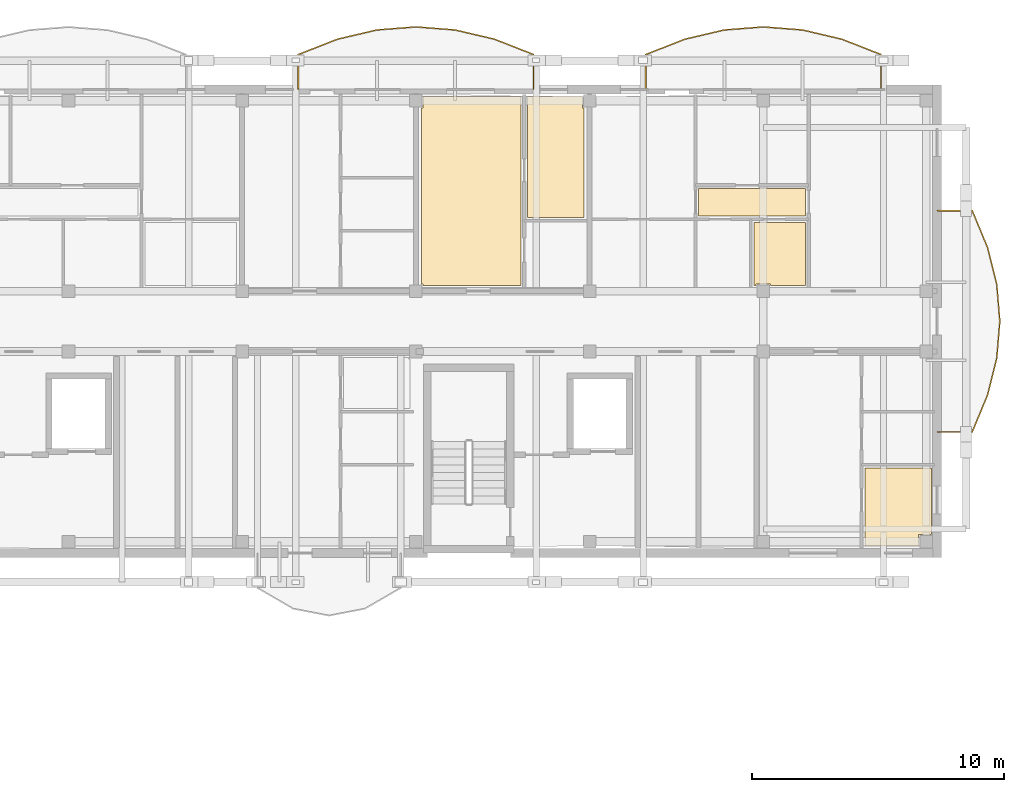
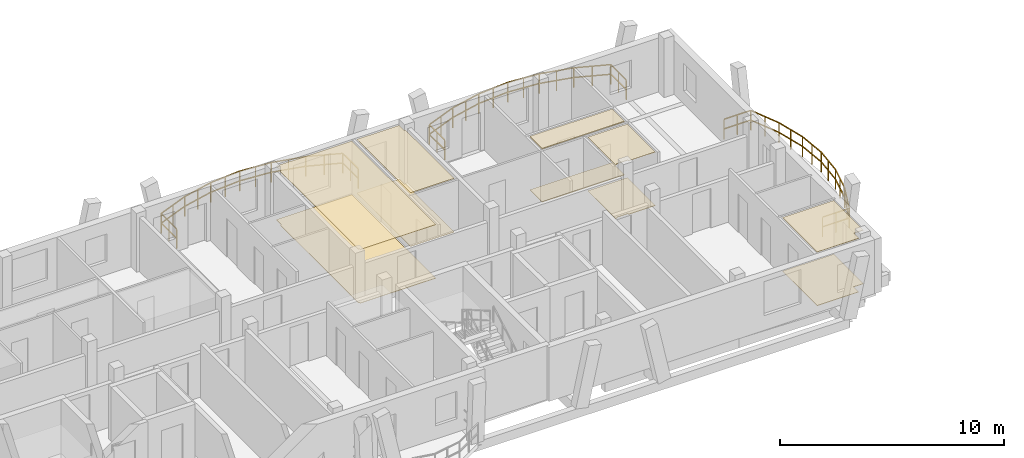
# One storey, part 50 of 50: 10 coverings, 3 railings.
"""IFC4 building model written with IfcOpenShell, lengths in metres."""

from ifc_helpers import new_model, si_unit, direction, frame, origin, origin_2d, place, context, subcontext, project, spatial, polyline, rectangle, outline, extrude, material, layer, layer_set, type_object, element, save


model = new_model("IFC4")

# Units and contexts
model_context = context("Model", 3, precision=1e-05, world=origin(), true_north=direction((0.0, 1.0)))
body_context = subcontext(model_context, "Body", "Model", "MODEL_VIEW")
ifc_project = project(units=[si_unit("LENGTHUNIT", "METRE"), si_unit("AREAUNIT", "SQUARE_METRE"), si_unit("VOLUMEUNIT", "CUBIC_METRE"), si_unit("PLANEANGLEUNIT", "RADIAN"), si_unit("MASSUNIT", "GRAM", prefix="KILO")], contexts=[model_context])

# Site, building, storey
site_placement = place(None, origin())
site = spatial("IfcSite", under=ifc_project, at=site_placement, CompositionType="ELEMENT")
building_placement = place(site_placement, origin())
building = spatial("IfcBuilding", under=site, at=building_placement, Name="Zavelmont Quarter", CompositionType="ELEMENT")
storey_placement = place(building_placement, frame((0.0, 0.0, 11.199951171875)))
storey = spatial("IfcBuildingStorey", under=building, at=storey_placement, Name="L03", CompositionType="ELEMENT", Elevation=11.199951171875)

# Coverings
ifc_material_1 = material(Name="Perforated acoustic gypsum board")
ifc_layer_1 = layer(ifc_material_1, 0.02490234375)
ifc_layer_set_1 = layer_set([ifc_layer_1], Name="Perforated acoustic gypsum board")
covering_type_1 = type_object("IfcCoveringType", Name="CV-CL01", PredefinedType="CEILING", material=ifc_layer_set_1)
covering_1_placement = place(storey_placement, frame((0.0, 0.0, 2.9150390625)))
element("IfcCovering", 1, at=covering_1_placement, inside=storey, type_object=covering_type_1, Name="L03 Residents Study Lounge acoustic ceiling", PredefinedType="CEILING", context=body_context, shape_type="SweptSolid", body=[
    extrude(outline(polyline([(147.530029296875, 115.27001953125), (147.590087890625, 115.27001953125), (147.590087890625, 115.719970703125), (151.469970703125, 115.719970703125), (151.469970703125, 108.22998046875), (147.590087890625, 108.22998046875), (147.590087890625, 108.2900390625), (147.530029296875, 108.2900390625), (147.530029296875, 115.27001953125)])), origin(), (0.0, 0.0, 1.0), 0.02490234375),
])
covering_2_placement = place(storey_placement, frame((0.0, 0.0, 2.9150390625)))
element("IfcCovering", 2, at=covering_2_placement, inside=storey, type_object=covering_type_1, Name="L03 Reading Alcove acoustic ceiling", PredefinedType="CEILING", context=body_context, shape_type="SweptSolid", body=[
    extrude(outline(polyline([(151.72998046875, 115.719970703125), (153.909912109375, 115.719970703125), (153.909912109375, 115.27001953125), (153.969970703125, 115.27001953125), (153.969970703125, 110.929931640625), (151.72998046875, 110.929931640625), (151.72998046875, 115.719970703125)])), origin(), (0.0, 0.0, 1.0), 0.02490234375),
])
covering_3_placement = place(storey_placement, frame((0.0, 0.0, 2.9150390625)))
element("IfcCovering", 3, at=covering_3_placement, inside=storey, type_object=covering_type_1, Name="L03 Kitchen acoustic ceiling", PredefinedType="CEILING", context=body_context, shape_type="SweptSolid", body=[
    extrude(outline(polyline([(160.72998046875, 110.719970703125), (162.77001953125, 110.719970703125), (162.77001953125, 108.22998046875), (161.389892578125, 108.22998046875), (161.389892578125, 108.2900390625), (160.81005859375, 108.2900390625), (160.81005859375, 108.22998046875), (160.72998046875, 108.22998046875), (160.72998046875, 110.719970703125)])), origin(), (0.0, 0.0, 1.0), 0.02490234375),
])
covering_4_placement = place(storey_placement, frame((0.0, 0.0, 2.9150390625)))
element("IfcCovering", 4, at=covering_4_placement, inside=storey, type_object=covering_type_1, Name="L03 Single Bedroom acoustic ceiling", PredefinedType="CEILING", context=body_context, shape_type="SweptSolid", body=[
    extrude(outline(polyline([(165.1298828125, 100.969970703125), (167.77001953125, 100.969970703125), (167.77001953125, 98.330078125), (167.27001953125, 98.330078125), (167.27001953125, 97.8798828125), (165.1298828125, 97.8798828125), (165.1298828125, 100.969970703125)])), origin(), (0.0, 0.0, 1.0), 0.02490234375),
])
ifc_material_2 = material(Name="Slatted European ash acoustic baffle ceiling")
ifc_layer_2 = layer(ifc_material_2, 0.0400390625)
ifc_layer_set_2 = layer_set([ifc_layer_2], Name="Slatted European ash acoustic baffle ceiling")
covering_type_2 = type_object("IfcCoveringType", Name="CV-CL02", PredefinedType="CEILING", material=ifc_layer_set_2)
covering_5_placement = place(storey_placement, frame((0.0, 0.0, 2.900146484375)))
element("IfcCovering", 5, at=covering_5_placement, inside=storey, type_object=covering_type_2, Name="L03 Apartment Hall acoustic ceiling", PredefinedType="CEILING", context=body_context, shape_type="SweptSolid", body=[
    extrude(outline(polyline([(158.530029296875, 112.070068359375), (162.77001953125, 112.070068359375), (162.77001953125, 110.97998046875), (158.530029296875, 110.97998046875), (158.530029296875, 112.070068359375)])), origin(), (0.0, 0.0, 1.0), 0.039794921875),
])
ifc_material_3 = material(Name="Engineered European oak parquet")
ifc_layer_3 = layer(ifc_material_3, 0.02197265625)
ifc_layer_set_3 = layer_set([ifc_layer_3], Name="Engineered European oak parquet")
covering_type_3 = type_object("IfcCoveringType", Name="CV-FL01", PredefinedType="FLOORING", material=ifc_layer_set_3)
covering_6_placement = place(storey_placement, origin())
element("IfcCovering", 6, at=covering_6_placement, inside=storey, type_object=covering_type_3, Name="L03 Residents Study Lounge floor finish", PredefinedType="FLOORING", context=body_context, shape_type="SweptSolid", body=[
    extrude(outline(polyline([(147.530029296875, 115.27001953125), (147.590087890625, 115.27001953125), (147.590087890625, 115.719970703125), (151.469970703125, 115.719970703125), (151.469970703125, 108.22998046875), (147.590087890625, 108.22998046875), (147.590087890625, 108.2900390625), (147.530029296875, 108.2900390625), (147.530029296875, 115.27001953125)])), origin(), (0.0, 0.0, 1.0), 0.02197265625),
])
covering_7_placement = place(storey_placement, origin())
element("IfcCovering", 7, at=covering_7_placement, inside=storey, type_object=covering_type_3, Name="L03 Reading Alcove floor finish", PredefinedType="FLOORING", context=body_context, shape_type="SweptSolid", body=[
    extrude(outline(polyline([(151.72998046875, 115.719970703125), (153.909912109375, 115.719970703125), (153.909912109375, 115.27001953125), (153.969970703125, 115.27001953125), (153.969970703125, 110.929931640625), (151.72998046875, 110.929931640625), (151.72998046875, 115.719970703125)])), origin(), (0.0, 0.0, 1.0), 0.02197265625),
])
covering_8_placement = place(storey_placement, origin())
element("IfcCovering", 8, at=covering_8_placement, inside=storey, type_object=covering_type_3, Name="L03 Kitchen floor finish", PredefinedType="FLOORING", context=body_context, shape_type="SweptSolid", body=[
    extrude(outline(polyline([(160.72998046875, 110.719970703125), (162.77001953125, 110.719970703125), (162.77001953125, 108.22998046875), (161.389892578125, 108.22998046875), (161.389892578125, 108.2900390625), (160.81005859375, 108.2900390625), (160.81005859375, 108.22998046875), (160.72998046875, 108.22998046875), (160.72998046875, 110.719970703125)])), origin(), (0.0, 0.0, 1.0), 0.02197265625),
])
covering_9_placement = place(storey_placement, origin())
element("IfcCovering", 9, at=covering_9_placement, inside=storey, type_object=covering_type_3, Name="L03 Single Bedroom floor finish", PredefinedType="FLOORING", context=body_context, shape_type="SweptSolid", body=[
    extrude(outline(polyline([(165.1298828125, 100.969970703125), (167.77001953125, 100.969970703125), (167.77001953125, 98.330078125), (167.27001953125, 98.330078125), (167.27001953125, 97.8798828125), (165.1298828125, 97.8798828125), (165.1298828125, 100.969970703125)])), origin(), (0.0, 0.0, 1.0), 0.02197265625),
])
ifc_material_4 = material(Name="Honed Belgian bluestone tile", Category="masonry")
ifc_layer_4 = layer(ifc_material_4, 0.030029296875)
ifc_layer_set_4 = layer_set([ifc_layer_4], Name="Honed Belgian bluestone tile")
covering_type_4 = type_object("IfcCoveringType", Name="CV-FL02", PredefinedType="FLOORING", material=ifc_layer_set_4)
covering_10_placement = place(storey_placement, origin())
element("IfcCovering", 10, at=covering_10_placement, inside=storey, type_object=covering_type_4, Name="L03 Apartment Hall floor finish", PredefinedType="FLOORING", context=body_context, shape_type="SweptSolid", body=[
    extrude(outline(polyline([(158.530029296875, 112.070068359375), (162.77001953125, 112.070068359375), (162.77001953125, 110.97998046875), (158.530029296875, 110.97998046875), (158.530029296875, 112.070068359375)])), origin(), (0.0, 0.0, 1.0), 0.030029296875),
])

# Railings
ifc_material_5 = material(Name="Powder-coated steel and tempered double safety glass", Category="steel")
railing_type = type_object("IfcRailingType", Name="RL-BAL1", PredefinedType="BALUSTRADE", material=ifc_material_5)
railing_1_placement = place(storey_placement, frame((151.9736328125, 116.02001953125, 0.0)))
element("IfcRailing", 11, at=railing_1_placement, inside=storey, type_object=railing_type, Name="L03 Block C curved balcony guard RL-BAL1", PredefinedType="BALUSTRADE", context=body_context, shape_type="SweptSolid", body=[
    extrude(rectangle(XDim=0.048095703125, YDim=0.048095703125, at=origin_2d()), frame((0.0, 0.0, 1.076171875), z_axis=(0.0, 1.0, 0.0), x_axis=(-1.0, 0.0, 0.0)), (0.0, 0.0, 1.0), 1.37646484375),
    extrude(rectangle(XDim=0.048095703125, YDim=0.048095703125, at=origin_2d()), frame((0.0, 0.0, 0.550048828125), z_axis=(0.0, 1.0, 0.0), x_axis=(-1.0, 0.0, 0.0)), (0.0, 0.0, 1.0), 1.37646484375),
    extrude(rectangle(XDim=0.048095703125, YDim=0.048095703125, at=origin_2d()), frame((0.0, 1.37646484375, 1.076171875), z_axis=(-0.931188942351, 0.364536902992, 0.0), x_axis=(-0.364536902992, -0.931188942351, 0.0)), (0.0, 0.0, 1.0), 1.673095703125),
    extrude(rectangle(XDim=0.048095703125, YDim=0.048095703125, at=origin_2d()), frame((0.0, 1.37646484375, 0.550048828125), z_axis=(-0.931188942351, 0.364536902992, 0.0), x_axis=(-0.364536902992, -0.931188942351, 0.0)), (0.0, 0.0, 1.0), 1.673095703125),
    extrude(rectangle(XDim=0.048095703125, YDim=0.048095703125, at=origin_2d()), frame((-1.557861328125, 1.986328125, 1.076171875), z_axis=(-0.973533094709, 0.228546086174, 0.0), x_axis=(-0.228546086174, -0.973533094709, 0.0)), (0.0, 0.0, 1.0), 1.60009765625),
    extrude(rectangle(XDim=0.048095703125, YDim=0.048095703125, at=origin_2d()), frame((-1.557861328125, 1.986328125, 0.550048828125), z_axis=(-0.973533094709, 0.228546086174, 0.0), x_axis=(-0.228546086174, -0.973533094709, 0.0)), (0.0, 0.0, 1.0), 1.60009765625),
    extrude(rectangle(XDim=0.048095703125, YDim=0.048095703125, at=origin_2d()), frame((-3.11572265625, 2.35205078125, 1.076171875), z_axis=(-0.996956262043, 0.077962885874, 0.0), x_axis=(-0.077962885874, -0.996956262043, 0.0)), (0.0, 0.0, 1.0), 1.5625),
    extrude(rectangle(XDim=0.048095703125, YDim=0.048095703125, at=origin_2d()), frame((-3.11572265625, 2.35205078125, 0.550048828125), z_axis=(-0.996956262043, 0.077962885874, 0.0), x_axis=(-0.077962885874, -0.996956262043, 0.0)), (0.0, 0.0, 1.0), 1.5625),
    extrude(rectangle(XDim=0.048095703125, YDim=0.048095703125, at=origin_2d()), frame((-4.673583984375, 2.473876953125, 1.076171875), z_axis=(-0.996956262043, -0.077962885874, 0.0), x_axis=(0.077962885874, -0.996956262043, 0.0)), (0.0, 0.0, 1.0), 1.5625),
    extrude(rectangle(XDim=0.048095703125, YDim=0.048095703125, at=origin_2d()), frame((-4.673583984375, 2.473876953125, 0.550048828125), z_axis=(-0.996956262043, -0.077962885874, 0.0), x_axis=(0.077962885874, -0.996956262043, 0.0)), (0.0, 0.0, 1.0), 1.5625),
    extrude(rectangle(XDim=0.048095703125, YDim=0.048095703125, at=origin_2d()), frame((-6.2314453125, 2.35205078125, 1.076171875), z_axis=(-0.973541062039, -0.228512145242, 0.0), x_axis=(0.228512145242, -0.973541062039, 0.0)), (0.0, 0.0, 1.0), 1.600341796875),
    extrude(rectangle(XDim=0.048095703125, YDim=0.048095703125, at=origin_2d()), frame((-6.2314453125, 2.35205078125, 0.550048828125), z_axis=(-0.973541062039, -0.228512145242, 0.0), x_axis=(0.228512145242, -0.973541062039, 0.0)), (0.0, 0.0, 1.0), 1.600341796875),
    extrude(rectangle(XDim=0.048095703125, YDim=0.048095703125, at=origin_2d()), frame((-7.78955078125, 1.986328125, 1.076171875), z_axis=(-0.931188942351, -0.364536902992, 0.0), x_axis=(0.364536902992, -0.931188942351, 0.0)), (0.0, 0.0, 1.0), 1.673095703125),
    extrude(rectangle(XDim=0.048095703125, YDim=0.048095703125, at=origin_2d()), frame((-7.78955078125, 1.986328125, 0.550048828125), z_axis=(-0.931188942351, -0.364536902992, 0.0), x_axis=(0.364536902992, -0.931188942351, 0.0)), (0.0, 0.0, 1.0), 1.673095703125),
    extrude(rectangle(XDim=0.048095703125, YDim=0.048095703125, at=origin_2d()), frame((-9.347412109375, 1.37646484375, 1.076171875), z_axis=(0.0, -1.0, 0.0), x_axis=(1.0, 0.0, 0.0)), (0.0, 0.0, 1.0), 1.37646484375),
    extrude(rectangle(XDim=0.048095703125, YDim=0.048095703125, at=origin_2d()), frame((-9.347412109375, 1.37646484375, 0.550048828125), z_axis=(0.0, -1.0, 0.0), x_axis=(1.0, 0.0, 0.0)), (0.0, 0.0, 1.0), 1.37646484375),
    extrude(rectangle(XDim=0.0419921875, YDim=0.0419921875, at=origin_2d()), origin(), (0.0, 0.0, 1.0), 1.052001953125),
    extrude(rectangle(XDim=0.0419921875, YDim=0.0419921875, at=origin_2d()), frame((0.0, 0.688232421875, 0.0)), (0.0, 0.0, 1.0), 1.052001953125),
    extrude(rectangle(XDim=0.0419921875, YDim=0.0419921875, at=origin_2d()), frame((0.0, 1.37646484375, 0.0)), (0.0, 0.0, 1.0), 1.052001953125),
    extrude(rectangle(XDim=0.0419921875, YDim=0.0419921875, at=origin_2d()), frame((-0.77880859375, 1.681396484375, 0.0)), (0.0, 0.0, 1.0), 1.052001953125),
    extrude(rectangle(XDim=0.0419921875, YDim=0.0419921875, at=origin_2d()), frame((-1.557861328125, 1.986328125, 0.0)), (0.0, 0.0, 1.0), 1.052001953125),
    extrude(rectangle(XDim=0.0419921875, YDim=0.0419921875, at=origin_2d()), frame((-2.3369140625, 2.169189453125, 0.0)), (0.0, 0.0, 1.0), 1.052001953125),
    extrude(rectangle(XDim=0.0419921875, YDim=0.0419921875, at=origin_2d()), frame((-3.11572265625, 2.35205078125, 0.0)), (0.0, 0.0, 1.0), 1.052001953125),
    extrude(rectangle(XDim=0.0419921875, YDim=0.0419921875, at=origin_2d()), frame((-3.89453125, 2.4130859375, 0.0)), (0.0, 0.0, 1.0), 1.052001953125),
    extrude(rectangle(XDim=0.0419921875, YDim=0.0419921875, at=origin_2d()), frame((-4.673583984375, 2.473876953125, 0.0)), (0.0, 0.0, 1.0), 1.052001953125),
    extrude(rectangle(XDim=0.0419921875, YDim=0.0419921875, at=origin_2d()), frame((-5.45263671875, 2.4130859375, 0.0)), (0.0, 0.0, 1.0), 1.052001953125),
    extrude(rectangle(XDim=0.0419921875, YDim=0.0419921875, at=origin_2d()), frame((-6.2314453125, 2.35205078125, 0.0)), (0.0, 0.0, 1.0), 1.052001953125),
    extrude(rectangle(XDim=0.0419921875, YDim=0.0419921875, at=origin_2d()), frame((-7.010498046875, 2.169189453125, 0.0)), (0.0, 0.0, 1.0), 1.052001953125),
    extrude(rectangle(XDim=0.0419921875, YDim=0.0419921875, at=origin_2d()), frame((-7.78955078125, 1.986328125, 0.0)), (0.0, 0.0, 1.0), 1.052001953125),
    extrude(rectangle(XDim=0.0419921875, YDim=0.0419921875, at=origin_2d()), frame((-8.568359375, 1.681396484375, 0.0)), (0.0, 0.0, 1.0), 1.052001953125),
    extrude(rectangle(XDim=0.0419921875, YDim=0.0419921875, at=origin_2d()), frame((-9.347412109375, 1.37646484375, 0.0)), (0.0, 0.0, 1.0), 1.052001953125),
    extrude(rectangle(XDim=0.0419921875, YDim=0.0419921875, at=origin_2d()), frame((-9.347412109375, 0.688232421875, 0.0)), (0.0, 0.0, 1.0), 1.052001953125),
    extrude(rectangle(XDim=0.0419921875, YDim=0.0419921875, at=origin_2d()), frame((-9.347412109375, 0.0, 0.0)), (0.0, 0.0, 1.0), 1.052001953125),
])
railing_2_placement = place(storey_placement, frame((165.773681640625, 116.02001953125, 0.0)))
element("IfcRailing", 12, at=railing_2_placement, inside=storey, type_object=railing_type, Name="L03 Block C curved balcony guard RL-BAL1", PredefinedType="BALUSTRADE", context=body_context, shape_type="SweptSolid", body=[
    extrude(rectangle(XDim=0.048095703125, YDim=0.048095703125, at=origin_2d()), frame((0.0, 0.0, 1.076171875), z_axis=(0.0, 1.0, 0.0), x_axis=(-1.0, 0.0, 0.0)), (0.0, 0.0, 1.0), 1.37646484375),
    extrude(rectangle(XDim=0.048095703125, YDim=0.048095703125, at=origin_2d()), frame((0.0, 0.0, 0.550048828125), z_axis=(0.0, 1.0, 0.0), x_axis=(-1.0, 0.0, 0.0)), (0.0, 0.0, 1.0), 1.37646484375),
    extrude(rectangle(XDim=0.048095703125, YDim=0.048095703125, at=origin_2d()), frame((0.0, 1.37646484375, 1.076171875), z_axis=(-0.931188942351, 0.364536902992, 0.0), x_axis=(-0.364536902992, -0.931188942351, 0.0)), (0.0, 0.0, 1.0), 1.673095703125),
    extrude(rectangle(XDim=0.048095703125, YDim=0.048095703125, at=origin_2d()), frame((0.0, 1.37646484375, 0.550048828125), z_axis=(-0.931188942351, 0.364536902992, 0.0), x_axis=(-0.364536902992, -0.931188942351, 0.0)), (0.0, 0.0, 1.0), 1.673095703125),
    extrude(rectangle(XDim=0.048095703125, YDim=0.048095703125, at=origin_2d()), frame((-1.557861328125, 1.986328125, 1.076171875), z_axis=(-0.973533094709, 0.228546086174, 0.0), x_axis=(-0.228546086174, -0.973533094709, 0.0)), (0.0, 0.0, 1.0), 1.60009765625),
    extrude(rectangle(XDim=0.048095703125, YDim=0.048095703125, at=origin_2d()), frame((-1.557861328125, 1.986328125, 0.550048828125), z_axis=(-0.973533094709, 0.228546086174, 0.0), x_axis=(-0.228546086174, -0.973533094709, 0.0)), (0.0, 0.0, 1.0), 1.60009765625),
    extrude(rectangle(XDim=0.048095703125, YDim=0.048095703125, at=origin_2d()), frame((-3.11572265625, 2.35205078125, 1.076171875), z_axis=(-0.996956262043, 0.077962885874, 0.0), x_axis=(-0.077962885874, -0.996956262043, 0.0)), (0.0, 0.0, 1.0), 1.5625),
    extrude(rectangle(XDim=0.048095703125, YDim=0.048095703125, at=origin_2d()), frame((-3.11572265625, 2.35205078125, 0.550048828125), z_axis=(-0.996956262043, 0.077962885874, 0.0), x_axis=(-0.077962885874, -0.996956262043, 0.0)), (0.0, 0.0, 1.0), 1.5625),
    extrude(rectangle(XDim=0.048095703125, YDim=0.048095703125, at=origin_2d()), frame((-4.673583984375, 2.473876953125, 1.076171875), z_axis=(-0.99695721147, -0.077950744049, 0.0), x_axis=(0.077950744049, -0.99695721147, 0.0)), (0.0, 0.0, 1.0), 1.562744140625),
    extrude(rectangle(XDim=0.048095703125, YDim=0.048095703125, at=origin_2d()), frame((-4.673583984375, 2.473876953125, 0.550048828125), z_axis=(-0.99695721147, -0.077950744049, 0.0), x_axis=(0.077950744049, -0.99695721147, 0.0)), (0.0, 0.0, 1.0), 1.562744140625),
    extrude(rectangle(XDim=0.048095703125, YDim=0.048095703125, at=origin_2d()), frame((-6.231689453125, 2.35205078125, 1.076171875), z_axis=(-0.973533094709, -0.228546086174, 0.0), x_axis=(0.228546086174, -0.973533094709, 0.0)), (0.0, 0.0, 1.0), 1.60009765625),
    extrude(rectangle(XDim=0.048095703125, YDim=0.048095703125, at=origin_2d()), frame((-6.231689453125, 2.35205078125, 0.550048828125), z_axis=(-0.973533094709, -0.228546086174, 0.0), x_axis=(0.228546086174, -0.973533094709, 0.0)), (0.0, 0.0, 1.0), 1.60009765625),
    extrude(rectangle(XDim=0.048095703125, YDim=0.048095703125, at=origin_2d()), frame((-7.78955078125, 1.986328125, 1.076171875), z_axis=(-0.931188942351, -0.364536902992, 0.0), x_axis=(0.364536902992, -0.931188942351, 0.0)), (0.0, 0.0, 1.0), 1.673095703125),
    extrude(rectangle(XDim=0.048095703125, YDim=0.048095703125, at=origin_2d()), frame((-7.78955078125, 1.986328125, 0.550048828125), z_axis=(-0.931188942351, -0.364536902992, 0.0), x_axis=(0.364536902992, -0.931188942351, 0.0)), (0.0, 0.0, 1.0), 1.673095703125),
    extrude(rectangle(XDim=0.048095703125, YDim=0.048095703125, at=origin_2d()), frame((-9.347412109375, 1.37646484375, 1.076171875), z_axis=(0.0, -1.0, 0.0), x_axis=(1.0, 0.0, 0.0)), (0.0, 0.0, 1.0), 1.37646484375),
    extrude(rectangle(XDim=0.048095703125, YDim=0.048095703125, at=origin_2d()), frame((-9.347412109375, 1.37646484375, 0.550048828125), z_axis=(0.0, -1.0, 0.0), x_axis=(1.0, 0.0, 0.0)), (0.0, 0.0, 1.0), 1.37646484375),
    extrude(rectangle(XDim=0.0419921875, YDim=0.0419921875, at=origin_2d()), origin(), (0.0, 0.0, 1.0), 1.052001953125),
    extrude(rectangle(XDim=0.0419921875, YDim=0.0419921875, at=origin_2d()), frame((0.0, 0.688232421875, 0.0)), (0.0, 0.0, 1.0), 1.052001953125),
    extrude(rectangle(XDim=0.0419921875, YDim=0.0419921875, at=origin_2d()), frame((0.0, 1.37646484375, 0.0)), (0.0, 0.0, 1.0), 1.052001953125),
    extrude(rectangle(XDim=0.0419921875, YDim=0.0419921875, at=origin_2d()), frame((-0.77880859375, 1.681396484375, 0.0)), (0.0, 0.0, 1.0), 1.052001953125),
    extrude(rectangle(XDim=0.0419921875, YDim=0.0419921875, at=origin_2d()), frame((-1.557861328125, 1.986328125, 0.0)), (0.0, 0.0, 1.0), 1.052001953125),
    extrude(rectangle(XDim=0.0419921875, YDim=0.0419921875, at=origin_2d()), frame((-2.3369140625, 2.169189453125, 0.0)), (0.0, 0.0, 1.0), 1.052001953125),
    extrude(rectangle(XDim=0.0419921875, YDim=0.0419921875, at=origin_2d()), frame((-3.11572265625, 2.35205078125, 0.0)), (0.0, 0.0, 1.0), 1.052001953125),
    extrude(rectangle(XDim=0.0419921875, YDim=0.0419921875, at=origin_2d()), frame((-3.89453125, 2.4130859375, 0.0)), (0.0, 0.0, 1.0), 1.052001953125),
    extrude(rectangle(XDim=0.0419921875, YDim=0.0419921875, at=origin_2d()), frame((-4.673583984375, 2.473876953125, 0.0)), (0.0, 0.0, 1.0), 1.052001953125),
    extrude(rectangle(XDim=0.0419921875, YDim=0.0419921875, at=origin_2d()), frame((-5.45263671875, 2.4130859375, 0.0)), (0.0, 0.0, 1.0), 1.052001953125),
    extrude(rectangle(XDim=0.0419921875, YDim=0.0419921875, at=origin_2d()), frame((-6.231689453125, 2.35205078125, 0.0)), (0.0, 0.0, 1.0), 1.052001953125),
    extrude(rectangle(XDim=0.0419921875, YDim=0.0419921875, at=origin_2d()), frame((-7.0107421875, 2.169189453125, 0.0)), (0.0, 0.0, 1.0), 1.052001953125),
    extrude(rectangle(XDim=0.0419921875, YDim=0.0419921875, at=origin_2d()), frame((-7.78955078125, 1.986328125, 0.0)), (0.0, 0.0, 1.0), 1.052001953125),
    extrude(rectangle(XDim=0.0419921875, YDim=0.0419921875, at=origin_2d()), frame((-8.568359375, 1.681396484375, 0.0)), (0.0, 0.0, 1.0), 1.052001953125),
    extrude(rectangle(XDim=0.0419921875, YDim=0.0419921875, at=origin_2d()), frame((-9.347412109375, 1.37646484375, 0.0)), (0.0, 0.0, 1.0), 1.052001953125),
    extrude(rectangle(XDim=0.0419921875, YDim=0.0419921875, at=origin_2d()), frame((-9.347412109375, 0.688232421875, 0.0)), (0.0, 0.0, 1.0), 1.052001953125),
    extrude(rectangle(XDim=0.0419921875, YDim=0.0419921875, at=origin_2d()), frame((-9.347412109375, 0.0, 0.0)), (0.0, 0.0, 1.0), 1.052001953125),
])
railing_3_placement = place(storey_placement, frame((168.02001953125, 102.40625, 0.0)))
element("IfcRailing", 13, at=railing_3_placement, inside=storey, type_object=railing_type, Name="L03 Block C curved balcony guard RL-BAL1", PredefinedType="BALUSTRADE", context=body_context, shape_type="SweptSolid", body=[
    extrude(rectangle(XDim=0.048095703125, YDim=0.048095703125, at=origin_2d()), frame((0.0, 0.0, 1.076171875), z_axis=(1.0, 0.0, 0.0), x_axis=(0.0, 1.0, 0.0)), (0.0, 0.0, 1.0), 1.37646484375),
    extrude(rectangle(XDim=0.048095703125, YDim=0.048095703125, at=origin_2d()), frame((0.0, 0.0, 0.550048828125), z_axis=(1.0, 0.0, 0.0), x_axis=(0.0, 1.0, 0.0)), (0.0, 0.0, 1.0), 1.37646484375),
    extrude(rectangle(XDim=0.048095703125, YDim=0.048095703125, at=origin_2d()), frame((1.37646484375, 0.0, 1.076171875), z_axis=(0.384407765083, 0.923163403815, 0.0), x_axis=(-0.923163403815, 0.384407765083, 0.0)), (0.0, 0.0, 1.0), 1.58642578125),
    extrude(rectangle(XDim=0.048095703125, YDim=0.048095703125, at=origin_2d()), frame((1.37646484375, 0.0, 0.550048828125), z_axis=(0.384407765083, 0.923163403815, 0.0), x_axis=(-0.923163403815, 0.384407765083, 0.0)), (0.0, 0.0, 1.0), 1.58642578125),
    extrude(rectangle(XDim=0.048095703125, YDim=0.048095703125, at=origin_2d()), frame((1.986328125, 1.464599609375, 1.076171875), z_axis=(0.2422692396, 0.970209057649, 0.0), x_axis=(-0.970209057649, 0.2422692396, 0.0)), (0.0, 0.0, 1.0), 1.509521484375),
    extrude(rectangle(XDim=0.048095703125, YDim=0.048095703125, at=origin_2d()), frame((1.986328125, 1.464599609375, 0.550048828125), z_axis=(0.2422692396, 0.970209057649, 0.0), x_axis=(-0.970209057649, 0.2422692396, 0.0)), (0.0, 0.0, 1.0), 1.509521484375),
    extrude(rectangle(XDim=0.048095703125, YDim=0.048095703125, at=origin_2d()), frame((2.35205078125, 2.92919921875, 1.076171875), z_axis=(0.082894251737, 0.996558349034, 0.0), x_axis=(-0.996558349034, 0.082894251737, 0.0)), (0.0, 0.0, 1.0), 1.4697265625),
    extrude(rectangle(XDim=0.048095703125, YDim=0.048095703125, at=origin_2d()), frame((2.35205078125, 2.92919921875, 0.550048828125), z_axis=(0.082894251737, 0.996558349034, 0.0), x_axis=(-0.996558349034, 0.082894251737, 0.0)), (0.0, 0.0, 1.0), 1.4697265625),
    extrude(rectangle(XDim=0.048095703125, YDim=0.048095703125, at=origin_2d()), frame((2.473876953125, 4.393798828125, 1.076171875), z_axis=(-0.082894251737, 0.996558349034, 0.0), x_axis=(-0.996558349034, -0.082894251737, 0.0)), (0.0, 0.0, 1.0), 1.4697265625),
    extrude(rectangle(XDim=0.048095703125, YDim=0.048095703125, at=origin_2d()), frame((2.473876953125, 4.393798828125, 0.550048828125), z_axis=(-0.082894251737, 0.996558349034, 0.0), x_axis=(-0.996558349034, -0.082894251737, 0.0)), (0.0, 0.0, 1.0), 1.4697265625),
    extrude(rectangle(XDim=0.048095703125, YDim=0.048095703125, at=origin_2d()), frame((2.35205078125, 5.8583984375, 1.076171875), z_axis=(-0.2422692396, 0.970209057649, 0.0), x_axis=(-0.970209057649, -0.2422692396, 0.0)), (0.0, 0.0, 1.0), 1.509521484375),
    extrude(rectangle(XDim=0.048095703125, YDim=0.048095703125, at=origin_2d()), frame((2.35205078125, 5.8583984375, 0.550048828125), z_axis=(-0.2422692396, 0.970209057649, 0.0), x_axis=(-0.970209057649, -0.2422692396, 0.0)), (0.0, 0.0, 1.0), 1.509521484375),
    extrude(rectangle(XDim=0.048095703125, YDim=0.048095703125, at=origin_2d()), frame((1.986328125, 7.322998046875, 1.076171875), z_axis=(-0.384407765083, 0.923163403815, 0.0), x_axis=(-0.923163403815, -0.384407765083, 0.0)), (0.0, 0.0, 1.0), 1.58642578125),
    extrude(rectangle(XDim=0.048095703125, YDim=0.048095703125, at=origin_2d()), frame((1.986328125, 7.322998046875, 0.550048828125), z_axis=(-0.384407765083, 0.923163403815, 0.0), x_axis=(-0.923163403815, -0.384407765083, 0.0)), (0.0, 0.0, 1.0), 1.58642578125),
    extrude(rectangle(XDim=0.048095703125, YDim=0.048095703125, at=origin_2d()), frame((1.37646484375, 8.78759765625, 1.076171875), z_axis=(-1.0, 0.0, 0.0), x_axis=(0.0, -1.0, 0.0)), (0.0, 0.0, 1.0), 1.37646484375),
    extrude(rectangle(XDim=0.048095703125, YDim=0.048095703125, at=origin_2d()), frame((1.37646484375, 8.78759765625, 0.550048828125), z_axis=(-1.0, 0.0, 0.0), x_axis=(0.0, -1.0, 0.0)), (0.0, 0.0, 1.0), 1.37646484375),
    extrude(rectangle(XDim=0.0419921875, YDim=0.0419921875, at=origin_2d()), origin(), (0.0, 0.0, 1.0), 1.052001953125),
    extrude(rectangle(XDim=0.0419921875, YDim=0.0419921875, at=origin_2d()), frame((0.688232421875, 0.0, 0.0)), (0.0, 0.0, 1.0), 1.052001953125),
    extrude(rectangle(XDim=0.0419921875, YDim=0.0419921875, at=origin_2d()), frame((1.37646484375, 0.0, 0.0)), (0.0, 0.0, 1.0), 1.052001953125),
    extrude(rectangle(XDim=0.0419921875, YDim=0.0419921875, at=origin_2d()), frame((1.681396484375, 0.732421875, 0.0)), (0.0, 0.0, 1.0), 1.052001953125),
    extrude(rectangle(XDim=0.0419921875, YDim=0.0419921875, at=origin_2d()), frame((1.986328125, 1.464599609375, 0.0)), (0.0, 0.0, 1.0), 1.052001953125),
    extrude(rectangle(XDim=0.0419921875, YDim=0.0419921875, at=origin_2d()), frame((2.169189453125, 2.19677734375, 0.0)), (0.0, 0.0, 1.0), 1.052001953125),
    extrude(rectangle(XDim=0.0419921875, YDim=0.0419921875, at=origin_2d()), frame((2.35205078125, 2.92919921875, 0.0)), (0.0, 0.0, 1.0), 1.052001953125),
    extrude(rectangle(XDim=0.0419921875, YDim=0.0419921875, at=origin_2d()), frame((2.4130859375, 3.66162109375, 0.0)), (0.0, 0.0, 1.0), 1.052001953125),
    extrude(rectangle(XDim=0.0419921875, YDim=0.0419921875, at=origin_2d()), frame((2.473876953125, 4.393798828125, 0.0)), (0.0, 0.0, 1.0), 1.052001953125),
    extrude(rectangle(XDim=0.0419921875, YDim=0.0419921875, at=origin_2d()), frame((2.4130859375, 5.1259765625, 0.0)), (0.0, 0.0, 1.0), 1.052001953125),
    extrude(rectangle(XDim=0.0419921875, YDim=0.0419921875, at=origin_2d()), frame((2.35205078125, 5.8583984375, 0.0)), (0.0, 0.0, 1.0), 1.052001953125),
    extrude(rectangle(XDim=0.0419921875, YDim=0.0419921875, at=origin_2d()), frame((2.169189453125, 6.5908203125, 0.0)), (0.0, 0.0, 1.0), 1.052001953125),
    extrude(rectangle(XDim=0.0419921875, YDim=0.0419921875, at=origin_2d()), frame((1.986328125, 7.322998046875, 0.0)), (0.0, 0.0, 1.0), 1.052001953125),
    extrude(rectangle(XDim=0.0419921875, YDim=0.0419921875, at=origin_2d()), frame((1.681396484375, 8.05517578125, 0.0)), (0.0, 0.0, 1.0), 1.052001953125),
    extrude(rectangle(XDim=0.0419921875, YDim=0.0419921875, at=origin_2d()), frame((1.37646484375, 8.78759765625, 0.0)), (0.0, 0.0, 1.0), 1.052001953125),
    extrude(rectangle(XDim=0.0419921875, YDim=0.0419921875, at=origin_2d()), frame((0.688232421875, 8.78759765625, 0.0)), (0.0, 0.0, 1.0), 1.052001953125),
    extrude(rectangle(XDim=0.0419921875, YDim=0.0419921875, at=origin_2d()), frame((0.0, 8.78759765625, 0.0)), (0.0, 0.0, 1.0), 1.052001953125),
])

save(model, "model.ifc")
